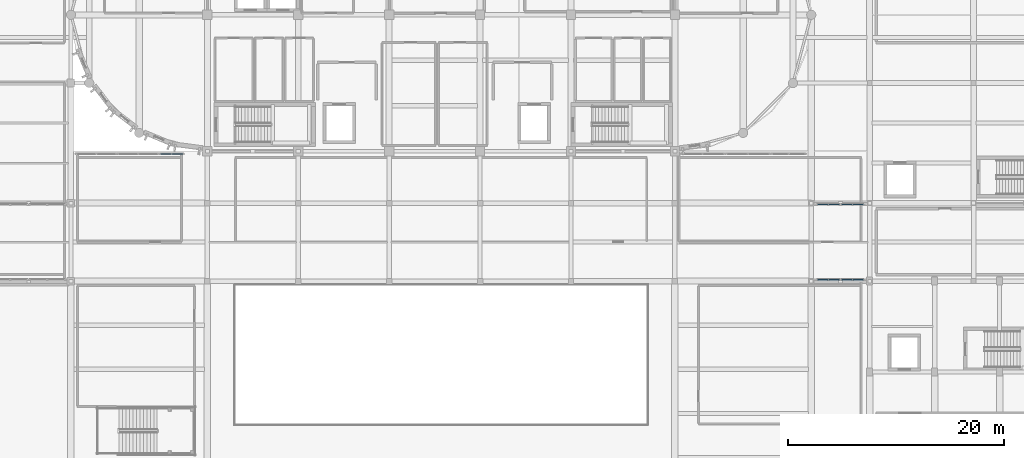
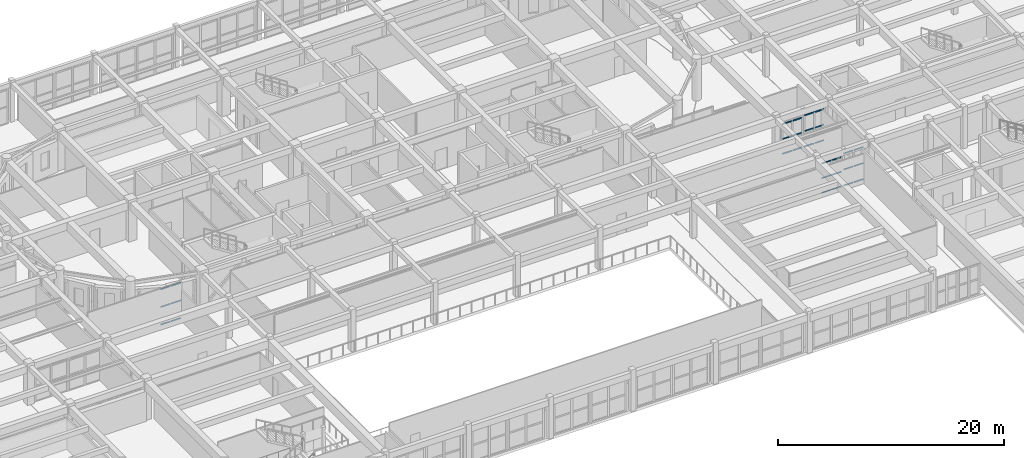
# One storey, part 52 of 92: 30 members, 5 elements without a shape of their own.
"""IFC4 building model written with IfcOpenShell, lengths in metres."""

from ifc_helpers import new_model, si_unit, direction, frame, origin, origin_2d, place, context, subcontext, project, spatial, hollow_rectangle, extrude, material, layer, layer_set, material_profile, profile_set, type_object, element, aggregate, save


model = new_model("IFC4")

# Units and contexts
model_context = context("Model", 3, precision=1e-05, world=origin(), true_north=direction((0.0, 1.0)))
body_context = subcontext(model_context, "Body", "Model", "MODEL_VIEW")
ifc_project = project(units=[si_unit("LENGTHUNIT", "METRE"), si_unit("AREAUNIT", "SQUARE_METRE"), si_unit("VOLUMEUNIT", "CUBIC_METRE"), si_unit("PLANEANGLEUNIT", "RADIAN"), si_unit("MASSUNIT", "GRAM", prefix="KILO")], contexts=[model_context])

# Site, building, storey
site_placement = place(None, origin())
site = spatial("IfcSite", under=ifc_project, at=site_placement, CompositionType="ELEMENT")
building_placement = place(site_placement, origin())
building = spatial("IfcBuilding", under=site, at=building_placement, Name="Tarnavel Promenade Courthouse", CompositionType="ELEMENT")
storey_placement = place(building_placement, frame((0.0, 0.0, 5.39990234375)))
storey = spatial("IfcBuildingStorey", under=building, at=storey_placement, Name="L02", CompositionType="ELEMENT", Elevation=5.39990234375)

# Curtain wall, members
ifc_material_1 = material(Name="Thermally Broken Anodised Aluminium Curtain Wall System", Category="aluminium")
ifc_layer_1 = layer(ifc_material_1, 0.2099609375)
ifc_layer_set_1 = layer_set([ifc_layer_1], Name="Thermally Broken Anodised Aluminium Curtain Wall System")
curtain_wall_type_1 = type_object("IfcCurtainWallType", Name="Thermally Broken Aluminium Triple-Glazed Curtain Wall CW-WG-N", PredefinedType="NOTDEFINED", material=ifc_layer_set_1)
curtain_wall_1_placement = place(storey_placement, origin())
curtain_wall_1 = element("IfcCurtainWall", 1, at=curtain_wall_1_placement, inside=storey, type_object=curtain_wall_type_1, Name="L02 Winter-Garden North Curtain Wall 110", PredefinedType="NOTDEFINED")
ifc_material_2 = material(Name="Thermally Broken Anodised Aluminium Frame", Category="aluminium")
ifc_material_profile = material_profile(ifc_material_2, hollow_rectangle(XDim=0.070068359375, YDim=0.139892578125, WallThickness=0.0048828125, InnerFilletRadius=0.0048828125, OuterFilletRadius=0.010009765625, at=origin_2d()), Name="CWT 140x70x5")
ifc_profile_set = profile_set([ifc_material_profile], Name="Thermally Broken Anodised Aluminium Frame")
member_type = type_object("IfcMemberType", Name="Thermally Broken Anodised Aluminium CWT-125 (CWT 140x70x5)", PredefinedType="USERDEFINED", material=ifc_profile_set)
member_1_placement = place(storey_placement, frame((54.47998046875, 78.949951171875, 0.03515625), z_axis=(1.0, 0.0, 0.0), x_axis=(0.0, 1.0, 0.0)))
member_1 = element("IfcMember", 2, at=member_1_placement, type_object=member_type, Name="CW-03 transom 1.1", ObjectType="TRANSOM", PredefinedType="USERDEFINED", context=body_context, shape_type="SweptSolid", body=[
    extrude(hollow_rectangle(XDim=0.070068359375, YDim=0.139892578125, WallThickness=0.0048828125, InnerFilletRadius=0.0048828125, OuterFilletRadius=0.010009765625, at=origin_2d()), origin(), (0.0, 0.0, 1.0), 0.97998046875),
])
member_2_placement = place(storey_placement, frame((54.47998046875, 78.949951171875, 1.93505859375), z_axis=(1.0, 0.0, 0.0), x_axis=(0.0, 1.0, 0.0)))
member_2 = element("IfcMember", 3, at=member_2_placement, type_object=member_type, Name="CW-03 transom 1.2", ObjectType="TRANSOM", PredefinedType="USERDEFINED", context=body_context, shape_type="SweptSolid", body=[
    extrude(hollow_rectangle(XDim=0.070068359375, YDim=0.139892578125, WallThickness=0.0048828125, InnerFilletRadius=0.0048828125, OuterFilletRadius=0.010009765625, at=origin_2d()), origin(), (0.0, 0.0, 1.0), 0.97998046875),
])
member_3_placement = place(storey_placement, frame((54.47998046875, 78.949951171875, 3.835205078125), z_axis=(1.0, 0.0, 0.0), x_axis=(0.0, 1.0, 0.0)))
member_3 = element("IfcMember", 4, at=member_3_placement, type_object=member_type, Name="CW-03 transom 1.3", ObjectType="TRANSOM", PredefinedType="USERDEFINED", context=body_context, shape_type="SweptSolid", body=[
    extrude(hollow_rectangle(XDim=0.070068359375, YDim=0.139892578125, WallThickness=0.0048828125, InnerFilletRadius=0.0048828125, OuterFilletRadius=0.010009765625, at=origin_2d()), origin(), (0.0, 0.0, 1.0), 0.97998046875),
])
member_4_placement = place(storey_placement, frame((55.5400390625, 78.949951171875, 0.03515625), z_axis=(1.0, 0.0, 0.0), x_axis=(0.0, 1.0, 0.0)))
member_4 = element("IfcMember", 5, at=member_4_placement, type_object=member_type, Name="CW-03 transom 2.1", ObjectType="TRANSOM", PredefinedType="USERDEFINED", context=body_context, shape_type="SweptSolid", body=[
    extrude(hollow_rectangle(XDim=0.070068359375, YDim=0.139892578125, WallThickness=0.0048828125, InnerFilletRadius=0.0048828125, OuterFilletRadius=0.010009765625, at=origin_2d()), origin(), (0.0, 0.0, 1.0), 0.97998046875),
])
member_5_placement = place(storey_placement, frame((55.5400390625, 78.949951171875, 1.93505859375), z_axis=(1.0, 0.0, 0.0), x_axis=(0.0, 1.0, 0.0)))
member_5 = element("IfcMember", 6, at=member_5_placement, type_object=member_type, Name="CW-03 transom 2.2", ObjectType="TRANSOM", PredefinedType="USERDEFINED", context=body_context, shape_type="SweptSolid", body=[
    extrude(hollow_rectangle(XDim=0.070068359375, YDim=0.139892578125, WallThickness=0.0048828125, InnerFilletRadius=0.0048828125, OuterFilletRadius=0.010009765625, at=origin_2d()), origin(), (0.0, 0.0, 1.0), 0.97998046875),
])
member_6_placement = place(storey_placement, frame((55.5400390625, 78.949951171875, 3.835205078125), z_axis=(1.0, 0.0, 0.0), x_axis=(0.0, 1.0, 0.0)))
member_6 = element("IfcMember", 7, at=member_6_placement, type_object=member_type, Name="CW-03 transom 2.3", ObjectType="TRANSOM", PredefinedType="USERDEFINED", context=body_context, shape_type="SweptSolid", body=[
    extrude(hollow_rectangle(XDim=0.070068359375, YDim=0.139892578125, WallThickness=0.0048828125, InnerFilletRadius=0.0048828125, OuterFilletRadius=0.010009765625, at=origin_2d()), origin(), (0.0, 0.0, 1.0), 0.97998046875),
])
aggregate(curtain_wall_1, [member_1, member_2, member_3, member_4, member_5, member_6])

ifc_layer_2 = layer(ifc_material_1, 0.18505859375)
ifc_layer_set_2 = layer_set([ifc_layer_2], Name="Thermally Broken Anodised Aluminium Curtain Wall System")
curtain_wall_type_2 = type_object("IfcCurtainWallType", Name="Thermally Broken Aluminium Triple-Glazed Curtain Wall CW-BRG", PredefinedType="NOTDEFINED", material=ifc_layer_set_2)
curtain_wall_2_placement = place(storey_placement, origin())
curtain_wall_2 = element("IfcCurtainWall", 8, at=curtain_wall_2_placement, inside=storey, type_object=curtain_wall_type_2, Name="L02 East Bridge Curtain Wall A 154", PredefinedType="NOTDEFINED")
member_7_placement = place(storey_placement, frame((115.179931640625, 67.330078125, 0.03515625), z_axis=(1.0, 0.0, 0.0), x_axis=(0.0, 1.0, 0.0)))
member_7 = element("IfcMember", 9, at=member_7_placement, type_object=member_type, Name="CW-05 transom 1.1", ObjectType="TRANSOM", PredefinedType="USERDEFINED", context=body_context, shape_type="SweptSolid", body=[
    extrude(hollow_rectangle(XDim=0.070068359375, YDim=0.139892578125, WallThickness=0.0048828125, InnerFilletRadius=0.0048828125, OuterFilletRadius=0.010009765625, at=origin_2d()), origin(), (0.0, 0.0, 1.0), 0.9599609375),
])
member_8_placement = place(storey_placement, frame((115.179931640625, 67.330078125, 1.614990234375), z_axis=(1.0, 0.0, 0.0), x_axis=(0.0, 1.0, 0.0)))
member_8 = element("IfcMember", 10, at=member_8_placement, type_object=member_type, Name="CW-05 transom 1.2", ObjectType="TRANSOM", PredefinedType="USERDEFINED", context=body_context, shape_type="SweptSolid", body=[
    extrude(hollow_rectangle(XDim=0.070068359375, YDim=0.139892578125, WallThickness=0.0048828125, InnerFilletRadius=0.0048828125, OuterFilletRadius=0.010009765625, at=origin_2d()), origin(), (0.0, 0.0, 1.0), 0.9599609375),
])
member_9_placement = place(storey_placement, frame((115.179931640625, 67.330078125, 3.195068359375), z_axis=(1.0, 0.0, 0.0), x_axis=(0.0, 1.0, 0.0)))
member_9 = element("IfcMember", 11, at=member_9_placement, type_object=member_type, Name="CW-05 transom 1.3", ObjectType="TRANSOM", PredefinedType="USERDEFINED", context=body_context, shape_type="SweptSolid", body=[
    extrude(hollow_rectangle(XDim=0.070068359375, YDim=0.139892578125, WallThickness=0.0048828125, InnerFilletRadius=0.0048828125, OuterFilletRadius=0.010009765625, at=origin_2d()), origin(), (0.0, 0.0, 1.0), 0.9599609375),
])
member_10_placement = place(storey_placement, frame((116.219970703125, 67.330078125, 0.03515625), z_axis=(1.0, 0.0, 0.0), x_axis=(0.0, 1.0, 0.0)))
member_10 = element("IfcMember", 12, at=member_10_placement, type_object=member_type, Name="CW-05 transom 2.1", ObjectType="TRANSOM", PredefinedType="USERDEFINED", context=body_context, shape_type="SweptSolid", body=[
    extrude(hollow_rectangle(XDim=0.070068359375, YDim=0.139892578125, WallThickness=0.0048828125, InnerFilletRadius=0.0048828125, OuterFilletRadius=0.010009765625, at=origin_2d()), origin(), (0.0, 0.0, 1.0), 0.9599609375),
])
member_11_placement = place(storey_placement, frame((116.219970703125, 67.330078125, 1.614990234375), z_axis=(1.0, 0.0, 0.0), x_axis=(0.0, 1.0, 0.0)))
member_11 = element("IfcMember", 13, at=member_11_placement, type_object=member_type, Name="CW-05 transom 2.2", ObjectType="TRANSOM", PredefinedType="USERDEFINED", context=body_context, shape_type="SweptSolid", body=[
    extrude(hollow_rectangle(XDim=0.070068359375, YDim=0.139892578125, WallThickness=0.0048828125, InnerFilletRadius=0.0048828125, OuterFilletRadius=0.010009765625, at=origin_2d()), origin(), (0.0, 0.0, 1.0), 0.9599609375),
])
member_12_placement = place(storey_placement, frame((116.219970703125, 67.330078125, 3.195068359375), z_axis=(1.0, 0.0, 0.0), x_axis=(0.0, 1.0, 0.0)))
member_12 = element("IfcMember", 14, at=member_12_placement, type_object=member_type, Name="CW-05 transom 2.3", ObjectType="TRANSOM", PredefinedType="USERDEFINED", context=body_context, shape_type="SweptSolid", body=[
    extrude(hollow_rectangle(XDim=0.070068359375, YDim=0.139892578125, WallThickness=0.0048828125, InnerFilletRadius=0.0048828125, OuterFilletRadius=0.010009765625, at=origin_2d()), origin(), (0.0, 0.0, 1.0), 0.9599609375),
])
aggregate(curtain_wall_2, [member_7, member_8, member_9, member_10, member_11, member_12])

curtain_wall_3_placement = place(storey_placement, origin())
curtain_wall_3 = element("IfcCurtainWall", 15, at=curtain_wall_3_placement, inside=storey, type_object=curtain_wall_type_2, Name="L02 East Bridge Curtain Wall B 155", PredefinedType="NOTDEFINED")
member_13_placement = place(storey_placement, frame((117.419921875, 67.330078125, 0.03515625), z_axis=(1.0, 0.0, 0.0), x_axis=(0.0, 1.0, 0.0)))
member_13 = element("IfcMember", 16, at=member_13_placement, type_object=member_type, Name="CW-05 transom 1.1", ObjectType="TRANSOM", PredefinedType="USERDEFINED", context=body_context, shape_type="SweptSolid", body=[
    extrude(hollow_rectangle(XDim=0.070068359375, YDim=0.139892578125, WallThickness=0.0048828125, InnerFilletRadius=0.0048828125, OuterFilletRadius=0.010009765625, at=origin_2d()), origin(), (0.0, 0.0, 1.0), 0.9599609375),
])
member_14_placement = place(storey_placement, frame((117.419921875, 67.330078125, 1.76513671875), z_axis=(1.0, 0.0, 0.0), x_axis=(0.0, 1.0, 0.0)))
member_14 = element("IfcMember", 17, at=member_14_placement, type_object=member_type, Name="CW-05 transom 1.2", ObjectType="TRANSOM", PredefinedType="USERDEFINED", context=body_context, shape_type="SweptSolid", body=[
    extrude(hollow_rectangle(XDim=0.070068359375, YDim=0.139892578125, WallThickness=0.0048828125, InnerFilletRadius=0.0048828125, OuterFilletRadius=0.010009765625, at=origin_2d()), origin(), (0.0, 0.0, 1.0), 0.9599609375),
])
member_15_placement = place(storey_placement, frame((117.419921875, 67.330078125, 3.4951171875), z_axis=(1.0, 0.0, 0.0), x_axis=(0.0, 1.0, 0.0)))
member_15 = element("IfcMember", 18, at=member_15_placement, type_object=member_type, Name="CW-05 transom 1.3", ObjectType="TRANSOM", PredefinedType="USERDEFINED", context=body_context, shape_type="SweptSolid", body=[
    extrude(hollow_rectangle(XDim=0.070068359375, YDim=0.139892578125, WallThickness=0.0048828125, InnerFilletRadius=0.0048828125, OuterFilletRadius=0.010009765625, at=origin_2d()), origin(), (0.0, 0.0, 1.0), 0.9599609375),
])
member_16_placement = place(storey_placement, frame((118.4599609375, 67.330078125, 0.03515625), z_axis=(1.0, 0.0, 0.0), x_axis=(0.0, 1.0, 0.0)))
member_16 = element("IfcMember", 19, at=member_16_placement, type_object=member_type, Name="CW-05 transom 2.1", ObjectType="TRANSOM", PredefinedType="USERDEFINED", context=body_context, shape_type="SweptSolid", body=[
    extrude(hollow_rectangle(XDim=0.070068359375, YDim=0.139892578125, WallThickness=0.0048828125, InnerFilletRadius=0.0048828125, OuterFilletRadius=0.010009765625, at=origin_2d()), origin(), (0.0, 0.0, 1.0), 0.9599609375),
])
member_17_placement = place(storey_placement, frame((118.4599609375, 67.330078125, 1.76513671875), z_axis=(1.0, 0.0, 0.0), x_axis=(0.0, 1.0, 0.0)))
member_17 = element("IfcMember", 20, at=member_17_placement, type_object=member_type, Name="CW-05 transom 2.2", ObjectType="TRANSOM", PredefinedType="USERDEFINED", context=body_context, shape_type="SweptSolid", body=[
    extrude(hollow_rectangle(XDim=0.070068359375, YDim=0.139892578125, WallThickness=0.0048828125, InnerFilletRadius=0.0048828125, OuterFilletRadius=0.010009765625, at=origin_2d()), origin(), (0.0, 0.0, 1.0), 0.9599609375),
])
member_18_placement = place(storey_placement, frame((118.4599609375, 67.330078125, 3.4951171875), z_axis=(1.0, 0.0, 0.0), x_axis=(0.0, 1.0, 0.0)))
member_18 = element("IfcMember", 21, at=member_18_placement, type_object=member_type, Name="CW-05 transom 2.3", ObjectType="TRANSOM", PredefinedType="USERDEFINED", context=body_context, shape_type="SweptSolid", body=[
    extrude(hollow_rectangle(XDim=0.070068359375, YDim=0.139892578125, WallThickness=0.0048828125, InnerFilletRadius=0.0048828125, OuterFilletRadius=0.010009765625, at=origin_2d()), origin(), (0.0, 0.0, 1.0), 0.9599609375),
])
aggregate(curtain_wall_3, [member_13, member_14, member_15, member_16, member_17, member_18])

curtain_wall_4_placement = place(storey_placement, origin())
curtain_wall_4 = element("IfcCurtainWall", 22, at=curtain_wall_4_placement, inside=storey, type_object=curtain_wall_type_2, Name="L02 East Bridge Curtain Wall A 156", PredefinedType="NOTDEFINED")
member_19_placement = place(storey_placement, frame((115.179931640625, 74.27001953125, 0.03515625), z_axis=(1.0, 0.0, 0.0), x_axis=(0.0, 1.0, 0.0)))
member_19 = element("IfcMember", 23, at=member_19_placement, type_object=member_type, Name="CW-05 transom 1.1", ObjectType="TRANSOM", PredefinedType="USERDEFINED", context=body_context, shape_type="SweptSolid", body=[
    extrude(hollow_rectangle(XDim=0.070068359375, YDim=0.139892578125, WallThickness=0.0048828125, InnerFilletRadius=0.0048828125, OuterFilletRadius=0.010009765625, at=origin_2d()), origin(), (0.0, 0.0, 1.0), 0.9599609375),
])
member_20_placement = place(storey_placement, frame((115.179931640625, 74.27001953125, 1.635009765625), z_axis=(1.0, 0.0, 0.0), x_axis=(0.0, 1.0, 0.0)))
member_20 = element("IfcMember", 24, at=member_20_placement, type_object=member_type, Name="CW-05 transom 1.2", ObjectType="TRANSOM", PredefinedType="USERDEFINED", context=body_context, shape_type="SweptSolid", body=[
    extrude(hollow_rectangle(XDim=0.070068359375, YDim=0.139892578125, WallThickness=0.0048828125, InnerFilletRadius=0.0048828125, OuterFilletRadius=0.010009765625, at=origin_2d()), origin(), (0.0, 0.0, 1.0), 0.9599609375),
])
member_21_placement = place(storey_placement, frame((115.179931640625, 74.27001953125, 3.235107421875), z_axis=(1.0, 0.0, 0.0), x_axis=(0.0, 1.0, 0.0)))
member_21 = element("IfcMember", 25, at=member_21_placement, type_object=member_type, Name="CW-05 transom 1.3", ObjectType="TRANSOM", PredefinedType="USERDEFINED", context=body_context, shape_type="SweptSolid", body=[
    extrude(hollow_rectangle(XDim=0.070068359375, YDim=0.139892578125, WallThickness=0.0048828125, InnerFilletRadius=0.0048828125, OuterFilletRadius=0.010009765625, at=origin_2d()), origin(), (0.0, 0.0, 1.0), 0.9599609375),
])
member_22_placement = place(storey_placement, frame((116.219970703125, 74.27001953125, 0.03515625), z_axis=(1.0, 0.0, 0.0), x_axis=(0.0, 1.0, 0.0)))
member_22 = element("IfcMember", 26, at=member_22_placement, type_object=member_type, Name="CW-05 transom 2.1", ObjectType="TRANSOM", PredefinedType="USERDEFINED", context=body_context, shape_type="SweptSolid", body=[
    extrude(hollow_rectangle(XDim=0.070068359375, YDim=0.139892578125, WallThickness=0.0048828125, InnerFilletRadius=0.0048828125, OuterFilletRadius=0.010009765625, at=origin_2d()), origin(), (0.0, 0.0, 1.0), 0.9599609375),
])
member_23_placement = place(storey_placement, frame((116.219970703125, 74.27001953125, 1.635009765625), z_axis=(1.0, 0.0, 0.0), x_axis=(0.0, 1.0, 0.0)))
member_23 = element("IfcMember", 27, at=member_23_placement, type_object=member_type, Name="CW-05 transom 2.2", ObjectType="TRANSOM", PredefinedType="USERDEFINED", context=body_context, shape_type="SweptSolid", body=[
    extrude(hollow_rectangle(XDim=0.070068359375, YDim=0.139892578125, WallThickness=0.0048828125, InnerFilletRadius=0.0048828125, OuterFilletRadius=0.010009765625, at=origin_2d()), origin(), (0.0, 0.0, 1.0), 0.9599609375),
])
member_24_placement = place(storey_placement, frame((116.219970703125, 74.27001953125, 3.235107421875), z_axis=(1.0, 0.0, 0.0), x_axis=(0.0, 1.0, 0.0)))
member_24 = element("IfcMember", 28, at=member_24_placement, type_object=member_type, Name="CW-05 transom 2.3", ObjectType="TRANSOM", PredefinedType="USERDEFINED", context=body_context, shape_type="SweptSolid", body=[
    extrude(hollow_rectangle(XDim=0.070068359375, YDim=0.139892578125, WallThickness=0.0048828125, InnerFilletRadius=0.0048828125, OuterFilletRadius=0.010009765625, at=origin_2d()), origin(), (0.0, 0.0, 1.0), 0.9599609375),
])
aggregate(curtain_wall_4, [member_19, member_20, member_21, member_22, member_23, member_24])

curtain_wall_5_placement = place(storey_placement, origin())
curtain_wall_5 = element("IfcCurtainWall", 29, at=curtain_wall_5_placement, inside=storey, type_object=curtain_wall_type_2, Name="L02 East Bridge Curtain Wall B 157", PredefinedType="NOTDEFINED")
member_25_placement = place(storey_placement, frame((117.419921875, 74.27001953125, 0.03515625), z_axis=(1.0, 0.0, 0.0), x_axis=(0.0, 1.0, 0.0)))
member_25 = element("IfcMember", 30, at=member_25_placement, type_object=member_type, Name="CW-05 transom 1.1", ObjectType="TRANSOM", PredefinedType="USERDEFINED", context=body_context, shape_type="SweptSolid", body=[
    extrude(hollow_rectangle(XDim=0.070068359375, YDim=0.139892578125, WallThickness=0.0048828125, InnerFilletRadius=0.0048828125, OuterFilletRadius=0.010009765625, at=origin_2d()), origin(), (0.0, 0.0, 1.0), 0.9599609375),
])
member_26_placement = place(storey_placement, frame((117.419921875, 74.27001953125, 1.710205078125), z_axis=(1.0, 0.0, 0.0), x_axis=(0.0, 1.0, 0.0)))
member_26 = element("IfcMember", 31, at=member_26_placement, type_object=member_type, Name="CW-05 transom 1.2", ObjectType="TRANSOM", PredefinedType="USERDEFINED", context=body_context, shape_type="SweptSolid", body=[
    extrude(hollow_rectangle(XDim=0.070068359375, YDim=0.139892578125, WallThickness=0.0048828125, InnerFilletRadius=0.0048828125, OuterFilletRadius=0.010009765625, at=origin_2d()), origin(), (0.0, 0.0, 1.0), 0.9599609375),
])
member_27_placement = place(storey_placement, frame((117.419921875, 74.27001953125, 3.385009765625), z_axis=(1.0, 0.0, 0.0), x_axis=(0.0, 1.0, 0.0)))
member_27 = element("IfcMember", 32, at=member_27_placement, type_object=member_type, Name="CW-05 transom 1.3", ObjectType="TRANSOM", PredefinedType="USERDEFINED", context=body_context, shape_type="SweptSolid", body=[
    extrude(hollow_rectangle(XDim=0.070068359375, YDim=0.139892578125, WallThickness=0.0048828125, InnerFilletRadius=0.0048828125, OuterFilletRadius=0.010009765625, at=origin_2d()), origin(), (0.0, 0.0, 1.0), 0.9599609375),
])
member_28_placement = place(storey_placement, frame((118.4599609375, 74.27001953125, 0.03515625), z_axis=(1.0, 0.0, 0.0), x_axis=(0.0, 1.0, 0.0)))
member_28 = element("IfcMember", 33, at=member_28_placement, type_object=member_type, Name="CW-05 transom 2.1", ObjectType="TRANSOM", PredefinedType="USERDEFINED", context=body_context, shape_type="SweptSolid", body=[
    extrude(hollow_rectangle(XDim=0.070068359375, YDim=0.139892578125, WallThickness=0.0048828125, InnerFilletRadius=0.0048828125, OuterFilletRadius=0.010009765625, at=origin_2d()), origin(), (0.0, 0.0, 1.0), 0.9599609375),
])
member_29_placement = place(storey_placement, frame((118.4599609375, 74.27001953125, 1.710205078125), z_axis=(1.0, 0.0, 0.0), x_axis=(0.0, 1.0, 0.0)))
member_29 = element("IfcMember", 34, at=member_29_placement, type_object=member_type, Name="CW-05 transom 2.2", ObjectType="TRANSOM", PredefinedType="USERDEFINED", context=body_context, shape_type="SweptSolid", body=[
    extrude(hollow_rectangle(XDim=0.070068359375, YDim=0.139892578125, WallThickness=0.0048828125, InnerFilletRadius=0.0048828125, OuterFilletRadius=0.010009765625, at=origin_2d()), origin(), (0.0, 0.0, 1.0), 0.9599609375),
])
member_30_placement = place(storey_placement, frame((118.4599609375, 74.27001953125, 3.385009765625), z_axis=(1.0, 0.0, 0.0), x_axis=(0.0, 1.0, 0.0)))
member_30 = element("IfcMember", 35, at=member_30_placement, type_object=member_type, Name="CW-05 transom 2.3", ObjectType="TRANSOM", PredefinedType="USERDEFINED", context=body_context, shape_type="SweptSolid", body=[
    extrude(hollow_rectangle(XDim=0.070068359375, YDim=0.139892578125, WallThickness=0.0048828125, InnerFilletRadius=0.0048828125, OuterFilletRadius=0.010009765625, at=origin_2d()), origin(), (0.0, 0.0, 1.0), 0.9599609375),
])
aggregate(curtain_wall_5, [member_25, member_26, member_27, member_28, member_29, member_30])

save(model, "model.ifc")
